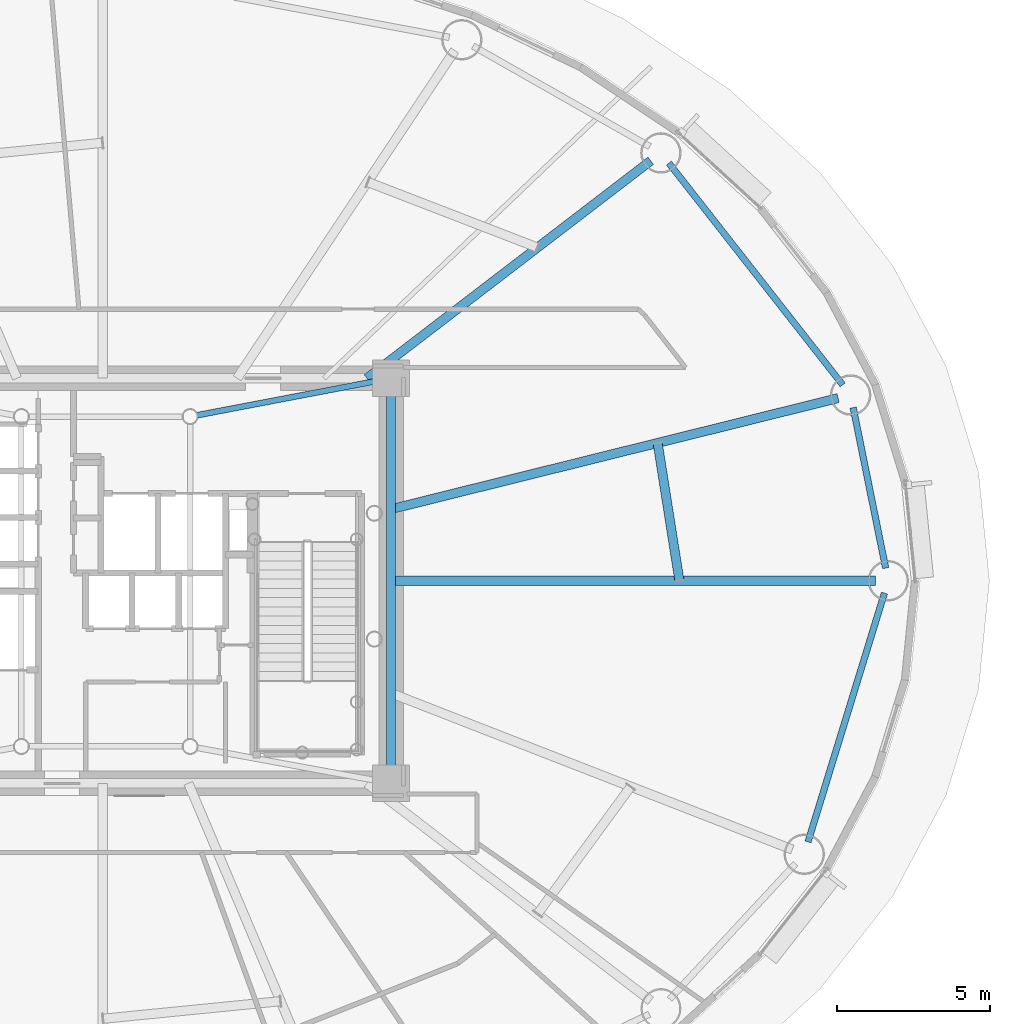
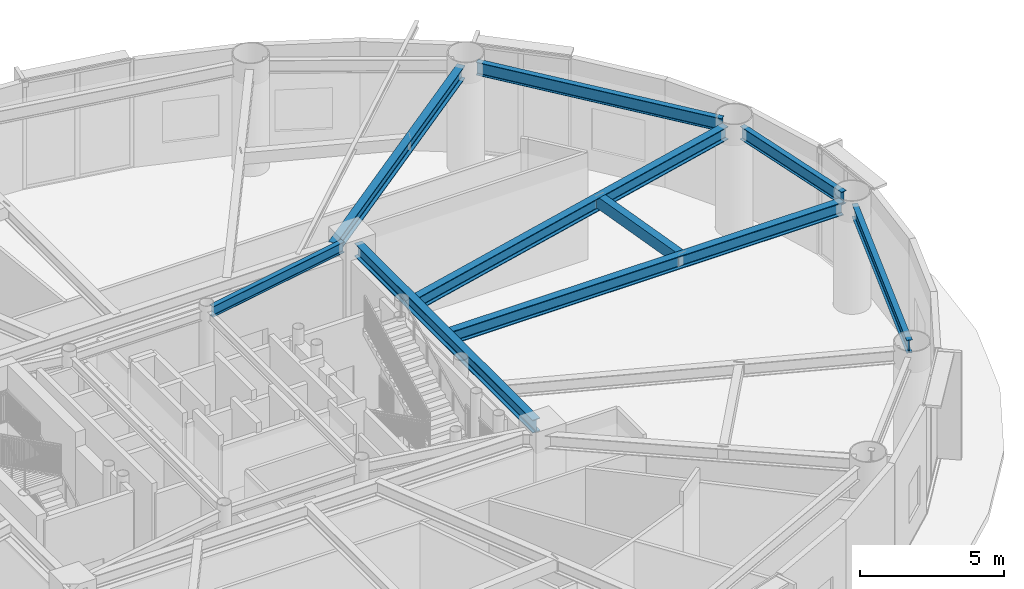
# One storey, part 15 of 38: 9 beams.
"""IFC4 building model written with IfcOpenShell, lengths in metres."""

from ifc_helpers import new_model, si_unit, direction, frame, origin, origin_2d, place, context, subcontext, project, spatial, hollow_rectangle, i_section, extrude, material, material_profile, profile_set, type_object, element, save


model = new_model("IFC4")

# Units and contexts
model_context = context("Model", 3, precision=1e-05, world=origin(), true_north=direction((0.0, 1.0)))
body_context = subcontext(model_context, "Body", "Model", "MODEL_VIEW")
ifc_project = project(units=[si_unit("LENGTHUNIT", "METRE"), si_unit("AREAUNIT", "SQUARE_METRE"), si_unit("VOLUMEUNIT", "CUBIC_METRE"), si_unit("PLANEANGLEUNIT", "RADIAN"), si_unit("MASSUNIT", "GRAM", prefix="KILO")], contexts=[model_context])

# Site, building, storey
site_placement = place(None, origin())
site = spatial("IfcSite", under=ifc_project, at=site_placement, CompositionType="ELEMENT")
building_placement = place(site_placement, origin())
building = spatial("IfcBuilding", under=site, at=building_placement, Name="Linh Dai School and Residence Tower", CompositionType="ELEMENT")
storey_placement = place(building_placement, frame((0.0, 0.0, 151.35009765625)))
storey = spatial("IfcBuildingStorey", under=building, at=storey_placement, Name="L36", CompositionType="ELEMENT", Elevation=151.35009765625)

# Beams
ifc_material = material(Name="Structural Steel S355JR", Category="steel")
ifc_material_profile_1 = material_profile(ifc_material, hollow_rectangle(XDim=0.300048828125, YDim=0.5, WallThickness=0.01611328125, at=origin_2d()), Name="RHS 500x300x16")
ifc_profile_set_1 = profile_set([ifc_material_profile_1], Name="Structural Steel S355JR")
beam_type_1 = type_object("IfcBeamType", Name="BM-BX5", PredefinedType="BEAM", material=ifc_profile_set_1)
beam_1_placement = place(storey_placement, frame((54.795166015625, 27.0048828125, 4.2998046875), z_axis=(-0.15630517468, 0.987708809502, 0.0), x_axis=(-0.987708809502, -0.15630517468, 0.0)))
element("IfcBeam", 1, at=beam_1_placement, inside=storey, type_object=beam_type_1, Name="L36 Secondary Circumferential Floor Beam 01", PredefinedType="BEAM", context=body_context, shape_type="SweptSolid", body=[
    extrude(hollow_rectangle(XDim=0.300048828125, YDim=0.5, WallThickness=0.01611328125, at=origin_2d()), origin(), (0.0, 0.0, 1.0), 4.537353515625),
])
ifc_material_profile_2 = material_profile(ifc_material, i_section(OverallWidth=0.2099609375, OverallDepth=0.550048828125, WebThickness=0.010986328125, FlangeThickness=0.01708984375, FilletRadius=0.02392578125, at=origin_2d()), Name="IPE 550")
ifc_profile_set_2 = profile_set([ifc_material_profile_2], Name="Structural Steel S355JR")
beam_type_2 = type_object("IfcBeamType", Name="BM-RB55", PredefinedType="BEAM", material=ifc_profile_set_2)
beam_2_placement = place(storey_placement, frame((61.5166015625, 27.41162109375, 4.27490234375), z_axis=(-0.198420723955, 0.980116940117, 0.0), x_axis=(-0.980116940117, -0.198420723955, 0.0)))
element("IfcBeam", 2, at=beam_2_placement, inside=storey, type_object=beam_type_2, Name="L36 Perimeter Elliptical Ring Beam 01", PredefinedType="BEAM", context=body_context, shape_type="SweptSolid", body=[
    extrude(i_section(OverallWidth=0.2099609375, OverallDepth=0.550048828125, WebThickness=0.010986328125, FlangeThickness=0.01708984375, FilletRadius=0.02392578125, at=origin_2d()), origin(), (0.0, 0.0, 1.0), 5.33642578125),
])
beam_3_placement = place(storey_placement, frame((60.115478515625, 33.38427734375, 4.27490234375), z_axis=(-0.616852281883, 0.787078942887, 0.0), x_axis=(-0.787078942887, -0.616852281883, 0.0)))
element("IfcBeam", 3, at=beam_3_placement, inside=storey, type_object=beam_type_2, Name="L36 Perimeter Elliptical Ring Beam 02", PredefinedType="BEAM", context=body_context, shape_type="SweptSolid", body=[
    extrude(i_section(OverallWidth=0.2099609375, OverallDepth=0.550048828125, WebThickness=0.010986328125, FlangeThickness=0.01708984375, FilletRadius=0.02392578125, at=origin_2d()), origin(), (0.0, 0.0, 1.0), 9.181884765625),
])
beam_4_placement = place(storey_placement, frame((58.98583984375, 18.490234375, 4.27490234375), z_axis=(0.29363681283, 0.955917058196, 0.0), x_axis=(-0.955917058196, 0.29363681283, 0.0)))
element("IfcBeam", 4, at=beam_4_placement, inside=storey, type_object=beam_type_2, Name="L36 Perimeter Elliptical Ring Beam 16", PredefinedType="BEAM", context=body_context, shape_type="SweptSolid", body=[
    extrude(i_section(OverallWidth=0.2099609375, OverallDepth=0.550048828125, WebThickness=0.010986328125, FlangeThickness=0.01708984375, FilletRadius=0.02392578125, at=origin_2d()), origin(), (0.0, 0.0, 1.0), 8.482421875),
])
ifc_material_profile_3 = material_profile(ifc_material, i_section(OverallWidth=0.300048828125, OverallDepth=0.550048828125, WebThickness=0.014892578125, FlangeThickness=0.029052734375, FilletRadius=0.027099609375, at=origin_2d()), Name="HEB 550")
ifc_profile_set_3 = profile_set([ifc_material_profile_3], Name="Structural Steel S355JR")
beam_type_3 = type_object("IfcBeamType", Name="BM-RG55", PredefinedType="BEAM", material=ifc_profile_set_3)
beam_5_placement = place(storey_placement, frame((45.39990234375, 20.820068359375, 4.27490234375), z_axis=(0.0, 1.0, 0.0), x_axis=(-1.0, 0.0, 0.0)))
element("IfcBeam", 5, at=beam_5_placement, inside=storey, type_object=beam_type_3, Name="L36 Core Perimeter Coupling Girder 2", PredefinedType="BEAM", context=body_context, shape_type="SweptSolid", body=[
    extrude(i_section(OverallWidth=0.300048828125, OverallDepth=0.550048828125, WebThickness=0.014892578125, FlangeThickness=0.029052734375, FilletRadius=0.027099609375, at=origin_2d()), origin(), (0.0, 0.0, 1.0), 12.35986328125),
])
beam_6_placement = place(storey_placement, frame((45.39990234375, 27.0, 4.27490234375), z_axis=(1.0, 0.0, 0.0), x_axis=(0.0, 1.0, 0.0)))
element("IfcBeam", 6, at=beam_6_placement, inside=storey, type_object=beam_type_3, Name="L36 Primary Radial Floor Girder 01", PredefinedType="BEAM", context=body_context, shape_type="SweptSolid", body=[
    extrude(i_section(OverallWidth=0.300048828125, OverallDepth=0.550048828125, WebThickness=0.014892578125, FlangeThickness=0.029052734375, FilletRadius=0.027099609375, at=origin_2d()), origin(), (0.0, 0.0, 1.0), 15.780029296875),
])
beam_7_placement = place(storey_placement, frame((45.39990234375, 29.33447265625, 4.27490234375), z_axis=(0.970514508209, 0.24104271272, 0.0), x_axis=(-0.24104271272, 0.970514508209, 0.0)))
element("IfcBeam", 7, at=beam_7_placement, inside=storey, type_object=beam_type_3, Name="L36 Primary Radial Floor Girder 02", PredefinedType="BEAM", context=body_context, shape_type="SweptSolid", body=[
    extrude(i_section(OverallWidth=0.300048828125, OverallDepth=0.550048828125, WebThickness=0.014892578125, FlangeThickness=0.029052734375, FilletRadius=0.027099609375, at=origin_2d()), origin(), (0.0, 0.0, 1.0), 15.009521484375),
])
beam_8_placement = place(storey_placement, frame((44.6123046875, 33.60009765625, 4.27490234375), z_axis=(0.793732831925, 0.608266546445, 0.0), x_axis=(-0.608266546445, 0.793732831925, 0.0)))
element("IfcBeam", 8, at=beam_8_placement, inside=storey, type_object=beam_type_3, Name="L36 Primary Radial Floor Girder 03", PredefinedType="BEAM", context=body_context, shape_type="SweptSolid", body=[
    extrude(i_section(OverallWidth=0.300048828125, OverallDepth=0.550048828125, WebThickness=0.014892578125, FlangeThickness=0.029052734375, FilletRadius=0.027099609375, at=origin_2d()), origin(), (0.0, 0.0, 1.0), 11.64990234375),
])
ifc_material_profile_4 = material_profile(ifc_material, i_section(OverallWidth=0.18994140625, OverallDepth=0.449951171875, WebThickness=0.009521484375, FlangeThickness=0.0146484375, FilletRadius=0.02099609375, at=origin_2d()), Name="IPE 450")
ifc_profile_set_4 = profile_set([ifc_material_profile_4], Name="Structural Steel S355JR")
beam_type_4 = type_object("IfcBeamType", Name="BM-SB45", PredefinedType="BEAM", material=ifc_profile_set_4)
beam_9_placement = place(storey_placement, frame((44.987548828125, 33.521240234375, 4.324951171875), z_axis=(-0.982277147686, -0.187434268836, 0.0), x_axis=(0.187434268836, -0.982277147686, 0.0)))
element("IfcBeam", 9, at=beam_9_placement, inside=storey, type_object=beam_type_4, Name="L36 Core Corner-to-Mast Pier Beam 3", PredefinedType="BEAM", context=body_context, shape_type="SweptSolid", body=[
    extrude(i_section(OverallWidth=0.18994140625, OverallDepth=0.449951171875, WebThickness=0.009521484375, FlangeThickness=0.0146484375, FilletRadius=0.02099609375, at=origin_2d()), origin(), (0.0, 0.0, 1.0), 6.024169921875),
])

save(model, "model.ifc")
